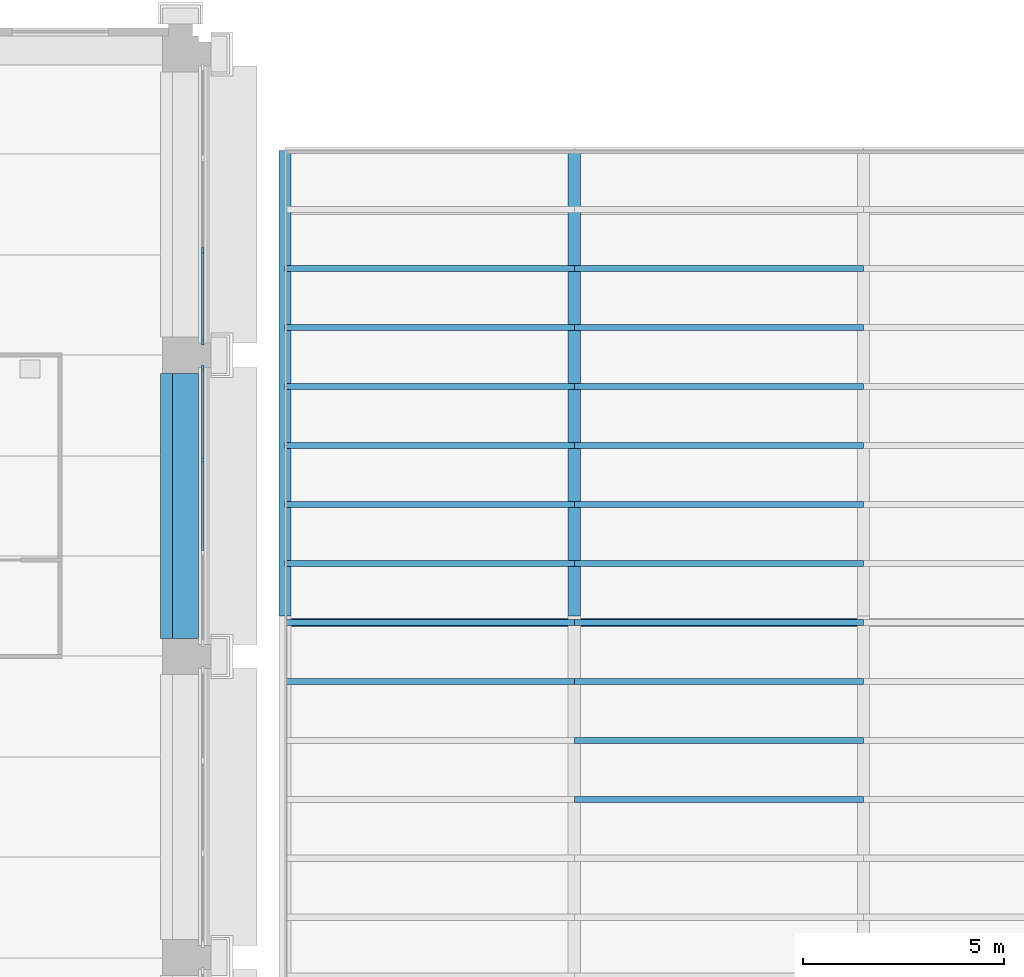
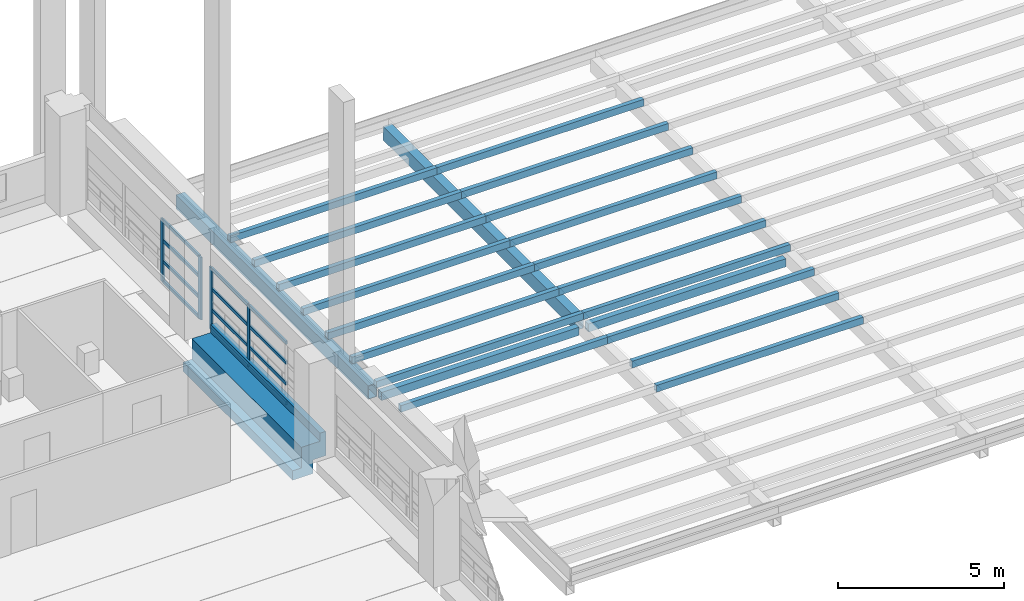
# One storey, part 13 of 67: 34 members, 5 beams, 2 elements without a shape of their own.
"""IFC4 building model written with IfcOpenShell, lengths in metres."""

from ifc_helpers import new_model, si_unit, direction, frame, origin, origin_2d, place, context, subcontext, project, spatial, polyline, rectangle, hollow_rectangle, outline, extrude, material, layer, layer_set, material_profile, profile_set, type_object, element, aggregate, save


model = new_model("IFC4")

# Units and contexts
model_context = context("Model", 3, precision=1e-05, world=origin(), true_north=direction((0.0, 1.0)))
body_context = subcontext(model_context, "Body", "Model", "MODEL_VIEW")
ifc_project = project(units=[si_unit("LENGTHUNIT", "METRE"), si_unit("AREAUNIT", "SQUARE_METRE"), si_unit("VOLUMEUNIT", "CUBIC_METRE"), si_unit("PLANEANGLEUNIT", "RADIAN"), si_unit("MASSUNIT", "GRAM", prefix="KILO")], contexts=[model_context])

# Site, building, storey
site_placement = place(None, origin())
site = spatial("IfcSite", under=ifc_project, at=site_placement, CompositionType="ELEMENT")
building_placement = place(site_placement, origin())
building = spatial("IfcBuilding", under=site, at=building_placement, Name="Cour d'Honneur Mobility Palace", CompositionType="ELEMENT")
storey_placement = place(building_placement, frame((0.0, 0.0, 4.5)))
storey = spatial("IfcBuildingStorey", under=building, at=storey_placement, Name="L01", CompositionType="ELEMENT", Elevation=4.5)

# Beams
ifc_material_1 = material(Name="Steel S355", Category="steel")
ifc_material_profile_1 = material_profile(ifc_material_1, hollow_rectangle(XDim=0.300048828125, YDim=0.5, WallThickness=0.01611328125, at=origin_2d()), Name="RHS 500x300x16")
ifc_profile_set_1 = profile_set([ifc_material_profile_1], Name="Steel S355")
beam_type_1 = type_object("IfcBeamType", Name="Canopy main beam RHS 500x300x16", PredefinedType="BEAM", material=ifc_profile_set_1)
for number, where, z_axis, x_axis, name in (
    (1, (20.0, 100.911865234375, 0.75), (0.0, 1.0, 0.0), (-1.0, 0.0, 0.0), "Canopy main beam FCM-W1.2"),
    (2, (27.199951171875, 100.911865234375, 0.75), (0.0, 1.0, 0.0), (-1.0, 0.0, 0.0), "Canopy main beam FCM-W2.2"),
):
    element("IfcBeam", number, at=place(storey_placement, frame(where, z_axis=z_axis, x_axis=x_axis)), inside=storey, type_object=beam_type_1, Name=name, PredefinedType="BEAM", context=body_context, shape_type="SweptSolid", body=[
        extrude(hollow_rectangle(XDim=0.300048828125, YDim=0.5, WallThickness=0.01611328125, at=origin_2d()), origin(), (0.0, 0.0, 1.0), 11.588134765625),
    ])

# Members
ifc_material_2 = material(Name="Steel S355", Category="steel")
ifc_material_profile_2 = material_profile(ifc_material_2, hollow_rectangle(XDim=0.14990234375, YDim=0.25, WallThickness=0.010009765625, at=origin_2d()), Name="RHS 250x150x10")
ifc_profile_set_2 = profile_set([ifc_material_profile_2], Name="Steel S355")
member_type_1 = type_object("IfcMemberType", Name="Canopy purlin RHS 250x150x10", PredefinedType="PURLIN", material=ifc_profile_set_2)
for number, where, z_axis, x_axis, name in (
    (3, (27.199951171875, 96.34375, 1.125), (1.0, 0.0, 0.0), (0.0, 1.0, 0.0), "Canopy purlin FCP-W6.2"),
    (4, (27.199951171875, 97.8125, 1.125), (1.0, 0.0, 0.0), (0.0, 1.0, 0.0), "Canopy purlin FCP-W7.2"),
    (5, (20.0, 99.28125, 1.125), (1.0, 0.0, 0.0), (0.0, 1.0, 0.0), "Canopy purlin FCP-W8.1"),
    (6, (27.199951171875, 99.28125, 1.125), (1.0, 0.0, 0.0), (0.0, 1.0, 0.0), "Canopy purlin FCP-W8.2"),
    (7, (20.0, 100.75, 1.125), (1.0, 0.0, 0.0), (0.0, 1.0, 0.0), "Canopy purlin FCP-W9.1"),
    (8, (27.199951171875, 100.75, 1.125), (1.0, 0.0, 0.0), (0.0, 1.0, 0.0), "Canopy purlin FCP-W9.2"),
    (9, (20.0, 102.21875, 1.125), (1.0, 0.0, 0.0), (0.0, 1.0, 0.0), "Canopy purlin FCP-W10.1"),
    (10, (27.199951171875, 102.21875, 1.125), (1.0, 0.0, 0.0), (0.0, 1.0, 0.0), "Canopy purlin FCP-W10.2"),
    (11, (20.0, 103.6875, 1.125), (1.0, 0.0, 0.0), (0.0, 1.0, 0.0), "Canopy purlin FCP-W11.1"),
    (12, (27.199951171875, 103.6875, 1.125), (1.0, 0.0, 0.0), (0.0, 1.0, 0.0), "Canopy purlin FCP-W11.2"),
    (13, (20.0, 105.15625, 1.125), (1.0, 0.0, 0.0), (0.0, 1.0, 0.0), "Canopy purlin FCP-W12.1"),
    (14, (27.199951171875, 105.15625, 1.125), (1.0, 0.0, 0.0), (0.0, 1.0, 0.0), "Canopy purlin FCP-W12.2"),
    (15, (20.0, 106.625, 1.125), (1.0, 0.0, 0.0), (0.0, 1.0, 0.0), "Canopy purlin FCP-W13.1"),
    (16, (27.199951171875, 106.625, 1.125), (1.0, 0.0, 0.0), (0.0, 1.0, 0.0), "Canopy purlin FCP-W13.2"),
    (17, (20.0, 108.09375, 1.125), (1.0, 0.0, 0.0), (0.0, 1.0, 0.0), "Canopy purlin FCP-W14.1"),
    (18, (27.199951171875, 108.09375, 1.125), (1.0, 0.0, 0.0), (0.0, 1.0, 0.0), "Canopy purlin FCP-W14.2"),
    (19, (20.0, 109.5625, 1.125), (1.0, 0.0, 0.0), (0.0, 1.0, 0.0), "Canopy purlin FCP-W15.1"),
    (20, (27.199951171875, 109.5625, 1.125), (1.0, 0.0, 0.0), (0.0, 1.0, 0.0), "Canopy purlin FCP-W15.2"),
):
    element("IfcMember", number, at=place(storey_placement, frame(where, z_axis=z_axis, x_axis=x_axis)), inside=storey, type_object=member_type_1, Name=name, PredefinedType="PURLIN", context=body_context, shape_type="SweptSolid", body=[
        extrude(hollow_rectangle(XDim=0.14990234375, YDim=0.25, WallThickness=0.010009765625, at=origin_2d()), origin(), (0.0, 0.0, 1.0), 7.199951171875),
    ])

# Beams
ifc_material_3 = material(Name="Steel S355", Category="steel")
ifc_material_profile_3 = material_profile(ifc_material_3, hollow_rectangle(XDim=0.199951171875, YDim=0.300048828125, WallThickness=0.012451171875, at=origin_2d()), Name="RHS 300x200x12.5")
ifc_profile_set_3 = profile_set([ifc_material_profile_3], Name="Steel S355")
beam_type_2 = type_object("IfcBeamType", Name="Canopy tie beam RHS 300x200x12.5", PredefinedType="BEAM", material=ifc_profile_set_3)
beam_1_placement = place(storey_placement, frame((20.161865234375, 100.75, 0.64990234375), z_axis=(1.0, 0.0, 0.0), x_axis=(0.0, 1.0, 0.0)))
element("IfcBeam", 21, at=beam_1_placement, inside=storey, type_object=beam_type_2, Name="Canopy tie beam FCT-W2.1", PredefinedType="BEAM", context=body_context, shape_type="SweptSolid", body=[
    extrude(hollow_rectangle(XDim=0.199951171875, YDim=0.300048828125, WallThickness=0.012451171875, at=origin_2d()), origin(), (0.0, 0.0, 1.0), 6.876220703125),
])
beam_2_placement = place(storey_placement, frame((27.362060546875, 100.75, 0.64990234375), z_axis=(1.0, 0.0, 0.0), x_axis=(0.0, 1.0, 0.0)))
element("IfcBeam", 22, at=beam_2_placement, inside=storey, type_object=beam_type_2, Name="Canopy tie beam FCT-W2.2", PredefinedType="BEAM", context=body_context, shape_type="SweptSolid", body=[
    extrude(hollow_rectangle(XDim=0.199951171875, YDim=0.300048828125, WallThickness=0.012451171875, at=origin_2d()), origin(), (0.0, 0.0, 1.0), 6.8759765625),
])

# Curtain wall, members
ifc_material_4 = material(Name="Aluminium and glass", Category="aluminium")
ifc_layer = layer(ifc_material_4, 0.10009765625)
ifc_layer_set = layer_set([ifc_layer], Name="Aluminium and glass")
curtain_wall_type = type_object("IfcCurtainWallType", Name="Curtain wall run", PredefinedType="NOTDEFINED", material=ifc_layer_set)
curtain_wall_1_placement = place(storey_placement, origin())
curtain_wall_1 = element("IfcCurtainWall", 23, at=curtain_wall_1_placement, inside=storey, type_object=curtain_wall_type, Name="Curtain wall CW-21", PredefinedType="NOTDEFINED")
ifc_material_5 = material(Name="Aluminium", Category="aluminium")
ifc_material_profile_4 = material_profile(ifc_material_5, rectangle(XDim=0.06005859375, YDim=0.159912109375, at=origin_2d()), Name="Curtain wall mullion")
ifc_profile_set_4 = profile_set([ifc_material_profile_4], Name="Aluminium")
member_type_2 = type_object("IfcMemberType", Name="Curtain wall mullion", PredefinedType="MULLION", material=ifc_profile_set_4)
member_1_placement = place(storey_placement, frame((17.949951171875, 104.800048828125, 0.0), z_axis=(0.0, 0.0, 1.0), x_axis=(-1.0, 0.0, 0.0)))
member_1 = element("IfcMember", 24, at=member_1_placement, type_object=member_type_2, Name="CW-21 mullion 3", PredefinedType="MULLION", context=body_context, shape_type="SweptSolid", body=[
    extrude(rectangle(XDim=0.06005859375, YDim=0.159912109375, at=origin_2d()), origin(), (0.0, 0.0, 1.0), 2.300048828125),
])
member_2_placement = place(storey_placement, frame((17.949951171875, 107.070068359375, 0.0), z_axis=(0.0, 0.0, 1.0), x_axis=(-1.0, 0.0, 0.0)))
member_2 = element("IfcMember", 25, at=member_2_placement, type_object=member_type_2, Name="CW-21 mullion 4", PredefinedType="MULLION", context=body_context, shape_type="SweptSolid", body=[
    extrude(rectangle(XDim=0.06005859375, YDim=0.159912109375, at=origin_2d()), origin(), (0.0, 0.0, 1.0), 2.300048828125),
])

curtain_wall_2_placement = place(storey_placement, origin())
curtain_wall_2 = element("IfcCurtainWall", 26, at=curtain_wall_2_placement, inside=storey, type_object=curtain_wall_type, Name="Curtain wall CW-22", PredefinedType="NOTDEFINED")
member_3_placement = place(storey_placement, frame((17.949951171875, 107.72998046875, 0.0), z_axis=(0.0, 0.0, 1.0), x_axis=(-1.0, 0.0, 0.0)))
member_3 = element("IfcMember", 27, at=member_3_placement, type_object=member_type_2, Name="CW-22 mullion 1", PredefinedType="MULLION", context=body_context, shape_type="SweptSolid", body=[
    extrude(rectangle(XDim=0.06005859375, YDim=0.159912109375, at=origin_2d()), origin(), (0.0, 0.0, 1.0), 2.300048828125),
])
member_4_placement = place(storey_placement, frame((17.949951171875, 110.0, 0.0), z_axis=(0.0, 0.0, 1.0), x_axis=(-1.0, 0.0, 0.0)))
member_4 = element("IfcMember", 28, at=member_4_placement, type_object=member_type_2, Name="CW-22 mullion 2", PredefinedType="MULLION", context=body_context, shape_type="SweptSolid", body=[
    extrude(rectangle(XDim=0.06005859375, YDim=0.159912109375, at=origin_2d()), origin(), (0.0, 0.0, 1.0), 2.300048828125),
])

# Member
ifc_material_6 = material(Name="Aluminium", Category="aluminium")
ifc_material_profile_5 = material_profile(ifc_material_6, rectangle(XDim=0.06005859375, YDim=0.1201171875, at=origin_2d()), Name="Curtain wall transom")
ifc_profile_set_5 = profile_set([ifc_material_profile_5], Name="Aluminium")
member_type_3 = type_object("IfcMemberType", Name="Curtain wall transom", PredefinedType="USERDEFINED", material=ifc_profile_set_5)
member_5_placement = place(storey_placement, frame((17.949951171875, 102.530029296875, 0.030029296875), z_axis=(0.0, 1.0, 0.0), x_axis=(-1.0, 0.0, 0.0)))
member_5 = element("IfcMember", 29, at=member_5_placement, type_object=member_type_3, Name="CW-21 transom 2.1", ObjectType="TRANSOM", PredefinedType="USERDEFINED", context=body_context, shape_type="SweptSolid", body=[
    extrude(rectangle(XDim=0.06005859375, YDim=0.1201171875, at=origin_2d()), origin(), (0.0, 0.0, 1.0), 2.239990234375),
])

member_6_placement = place(storey_placement, frame((17.949951171875, 102.530029296875, 0.7666015625), z_axis=(0.0, 1.0, 0.0), x_axis=(-1.0, 0.0, 0.0)))
member_6 = element("IfcMember", 30, at=member_6_placement, type_object=member_type_3, Name="CW-21 transom 2.2", ObjectType="TRANSOM", PredefinedType="USERDEFINED", context=body_context, shape_type="SweptSolid", body=[
    extrude(rectangle(XDim=0.06005859375, YDim=0.1201171875, at=origin_2d()), origin(), (0.0, 0.0, 1.0), 2.239990234375),
])

member_7_placement = place(storey_placement, frame((17.949951171875, 102.530029296875, 1.533447265625), z_axis=(0.0, 1.0, 0.0), x_axis=(-1.0, 0.0, 0.0)))
member_7 = element("IfcMember", 31, at=member_7_placement, type_object=member_type_3, Name="CW-21 transom 2.3", ObjectType="TRANSOM", PredefinedType="USERDEFINED", context=body_context, shape_type="SweptSolid", body=[
    extrude(rectangle(XDim=0.06005859375, YDim=0.1201171875, at=origin_2d()), origin(), (0.0, 0.0, 1.0), 2.239990234375),
])

member_8_placement = place(storey_placement, frame((17.949951171875, 102.530029296875, 2.27001953125), z_axis=(0.0, 1.0, 0.0), x_axis=(-1.0, 0.0, 0.0)))
member_8 = element("IfcMember", 32, at=member_8_placement, type_object=member_type_3, Name="CW-21 transom 2.4", ObjectType="TRANSOM", PredefinedType="USERDEFINED", context=body_context, shape_type="SweptSolid", body=[
    extrude(rectangle(XDim=0.06005859375, YDim=0.1201171875, at=origin_2d()), origin(), (0.0, 0.0, 1.0), 2.239990234375),
])

member_9_placement = place(storey_placement, frame((17.949951171875, 104.830078125, 0.030029296875), z_axis=(0.0, 1.0, 0.0), x_axis=(-1.0, 0.0, 0.0)))
member_9 = element("IfcMember", 33, at=member_9_placement, type_object=member_type_3, Name="CW-21 transom 3.1", ObjectType="TRANSOM", PredefinedType="USERDEFINED", context=body_context, shape_type="SweptSolid", body=[
    extrude(rectangle(XDim=0.06005859375, YDim=0.1201171875, at=origin_2d()), origin(), (0.0, 0.0, 1.0), 2.2099609375),
])

member_10_placement = place(storey_placement, frame((17.949951171875, 104.830078125, 0.7666015625), z_axis=(0.0, 1.0, 0.0), x_axis=(-1.0, 0.0, 0.0)))
member_10 = element("IfcMember", 34, at=member_10_placement, type_object=member_type_3, Name="CW-21 transom 3.2", ObjectType="TRANSOM", PredefinedType="USERDEFINED", context=body_context, shape_type="SweptSolid", body=[
    extrude(rectangle(XDim=0.06005859375, YDim=0.1201171875, at=origin_2d()), origin(), (0.0, 0.0, 1.0), 2.2099609375),
])

member_11_placement = place(storey_placement, frame((17.949951171875, 104.830078125, 1.533447265625), z_axis=(0.0, 1.0, 0.0), x_axis=(-1.0, 0.0, 0.0)))
member_11 = element("IfcMember", 35, at=member_11_placement, type_object=member_type_3, Name="CW-21 transom 3.3", ObjectType="TRANSOM", PredefinedType="USERDEFINED", context=body_context, shape_type="SweptSolid", body=[
    extrude(rectangle(XDim=0.06005859375, YDim=0.1201171875, at=origin_2d()), origin(), (0.0, 0.0, 1.0), 2.2099609375),
])

member_12_placement = place(storey_placement, frame((17.949951171875, 104.830078125, 2.27001953125), z_axis=(0.0, 1.0, 0.0), x_axis=(-1.0, 0.0, 0.0)))
member_12 = element("IfcMember", 36, at=member_12_placement, type_object=member_type_3, Name="CW-21 transom 3.4", ObjectType="TRANSOM", PredefinedType="USERDEFINED", context=body_context, shape_type="SweptSolid", body=[
    extrude(rectangle(XDim=0.06005859375, YDim=0.1201171875, at=origin_2d()), origin(), (0.0, 0.0, 1.0), 2.2099609375),
])

aggregate(curtain_wall_1, [member_1, member_2, member_5, member_6, member_7, member_8, member_9, member_10, member_11, member_12])

member_13_placement = place(storey_placement, frame((17.949951171875, 107.760009765625, 0.030029296875), z_axis=(0.0, 1.0, 0.0), x_axis=(-1.0, 0.0, 0.0)))
member_13 = element("IfcMember", 37, at=member_13_placement, type_object=member_type_3, Name="CW-22 transom 1.1", ObjectType="TRANSOM", PredefinedType="USERDEFINED", context=body_context, shape_type="SweptSolid", body=[
    extrude(rectangle(XDim=0.06005859375, YDim=0.1201171875, at=origin_2d()), origin(), (0.0, 0.0, 1.0), 2.2099609375),
])

member_14_placement = place(storey_placement, frame((17.949951171875, 107.760009765625, 0.7666015625), z_axis=(0.0, 1.0, 0.0), x_axis=(-1.0, 0.0, 0.0)))
member_14 = element("IfcMember", 38, at=member_14_placement, type_object=member_type_3, Name="CW-22 transom 1.2", ObjectType="TRANSOM", PredefinedType="USERDEFINED", context=body_context, shape_type="SweptSolid", body=[
    extrude(rectangle(XDim=0.06005859375, YDim=0.1201171875, at=origin_2d()), origin(), (0.0, 0.0, 1.0), 2.2099609375),
])

member_15_placement = place(storey_placement, frame((17.949951171875, 107.760009765625, 1.533447265625), z_axis=(0.0, 1.0, 0.0), x_axis=(-1.0, 0.0, 0.0)))
member_15 = element("IfcMember", 39, at=member_15_placement, type_object=member_type_3, Name="CW-22 transom 1.3", ObjectType="TRANSOM", PredefinedType="USERDEFINED", context=body_context, shape_type="SweptSolid", body=[
    extrude(rectangle(XDim=0.06005859375, YDim=0.1201171875, at=origin_2d()), origin(), (0.0, 0.0, 1.0), 2.2099609375),
])

member_16_placement = place(storey_placement, frame((17.949951171875, 107.760009765625, 2.27001953125), z_axis=(0.0, 1.0, 0.0), x_axis=(-1.0, 0.0, 0.0)))
member_16 = element("IfcMember", 40, at=member_16_placement, type_object=member_type_3, Name="CW-22 transom 1.4", ObjectType="TRANSOM", PredefinedType="USERDEFINED", context=body_context, shape_type="SweptSolid", body=[
    extrude(rectangle(XDim=0.06005859375, YDim=0.1201171875, at=origin_2d()), origin(), (0.0, 0.0, 1.0), 2.2099609375),
])

aggregate(curtain_wall_2, [member_3, member_4, member_13, member_14, member_15, member_16])

# Beam
ifc_material_7 = material(Name="Concrete C45", Category="concrete")
ifc_material_profile_6 = material_profile(ifc_material_7, outline(polyline([(0.5, -1.10009765625), (0.5, -0.75), (0.199951171875, -0.75), (0.199951171875, 0.0), (-0.199951171875, 0.0), (-0.449951171875, 0.0), (-0.449951171875, 0.300048828125), (-0.64990234375, 0.300048828125), (-0.64990234375, -0.60009765625), (-0.199951171875, -0.60009765625), (-0.199951171875, -1.10009765625), (0.5, -1.10009765625)])), Name="Ledger Beam 400x1100 ledge left 350 facade right")
ifc_profile_set_6 = profile_set([ifc_material_profile_6], Name="Concrete C45")
beam_type_3 = type_object("IfcBeamType", Name="Ledger Beam 400x1100 ledge left 350 facade right", PredefinedType="BEAM", material=ifc_profile_set_6)
beam_3_placement = place(storey_placement, frame((17.39990234375, 100.35009765625, 0.0), z_axis=(0.0, 1.0, 0.0), x_axis=(-1.0, 0.0, 0.0)))
element("IfcBeam", 41, at=beam_3_placement, inside=storey, type_object=beam_type_3, Name="Precast beam B2 N-P L01", PredefinedType="BEAM", context=body_context, shape_type="SweptSolid", body=[
    extrude(outline(polyline([(0.5, -1.10009765625), (0.5, -0.75), (0.199951171875, -0.75), (0.199951171875, 0.0), (-0.199951171875, 0.0), (-0.449951171875, 0.0), (-0.449951171875, 0.300048828125), (-0.64990234375, 0.300048828125), (-0.64990234375, -0.60009765625), (-0.199951171875, -0.60009765625), (-0.199951171875, -1.10009765625), (0.5, -1.10009765625)])), origin(), (0.0, 0.0, 1.0), 6.599853515625),
])

save(model, "model.ifc")
